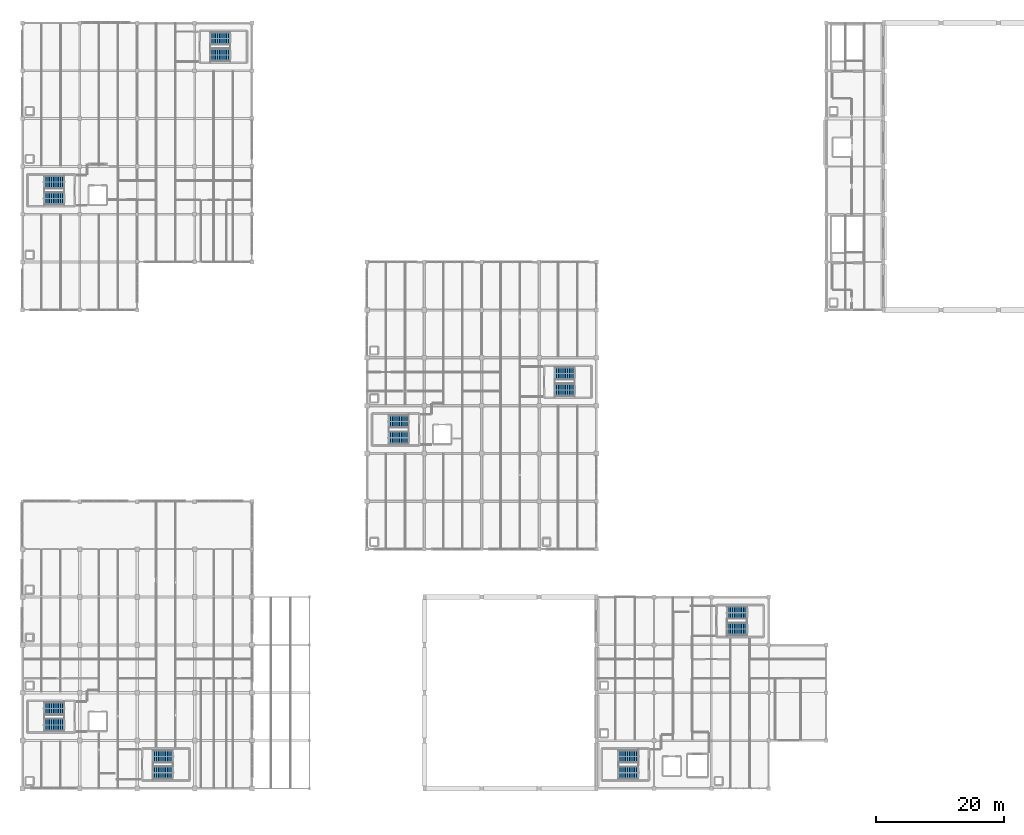
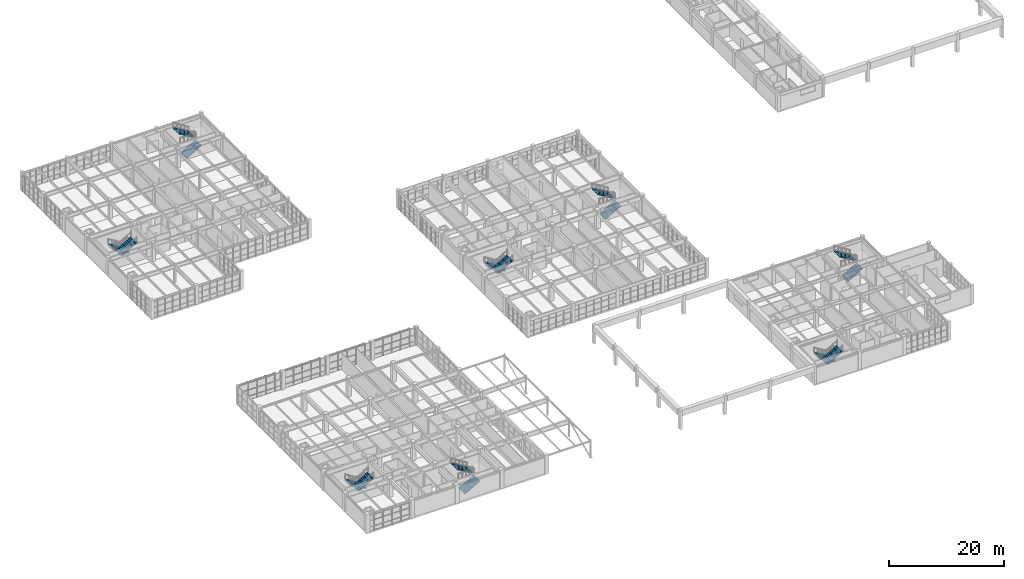
# One storey, part 74 of 76: 16 stair flights, 8 elements without a shape of their own.
"""IFC4 building model written with IfcOpenShell, lengths in metres."""

from ifc_helpers import new_model, si_unit, direction, frame, origin, place, context, subcontext, project, spatial, polyline, outline, extrude, material, type_object, element, aggregate, save


model = new_model("IFC4")

# Units and contexts
model_context = context("Model", 3, precision=1e-05, world=origin(), true_north=direction((0.0, 1.0)))
body_context = subcontext(model_context, "Body", "Model", "MODEL_VIEW")
ifc_project = project(units=[si_unit("LENGTHUNIT", "METRE"), si_unit("AREAUNIT", "SQUARE_METRE"), si_unit("VOLUMEUNIT", "CUBIC_METRE"), si_unit("PLANEANGLEUNIT", "RADIAN"), si_unit("MASSUNIT", "GRAM", prefix="KILO")], contexts=[model_context])

# Site, building, storey
site_placement = place(None, origin())
site = spatial("IfcSite", under=ifc_project, at=site_placement, CompositionType="ELEMENT")
building_placement = place(site_placement, origin())
building = spatial("IfcBuilding", under=site, at=building_placement, Name="Marnridge Secondary College", CompositionType="ELEMENT")
storey_placement = place(building_placement, frame((0.0, 0.0, 4.5)))
storey = spatial("IfcBuildingStorey", under=building, at=storey_placement, Name="L01", CompositionType="ELEMENT", Elevation=4.5)

# Stair, stair flights
ifc_material_1 = material(Name="Concrete C40/50 (AS 3600 N40, 40 MPa)", Category="concrete")
stair_type = type_object("IfcStairType", Name="STC1", PredefinedType="HALF_TURN_STAIR", material=ifc_material_1)
stair_1_placement = place(storey_placement, origin())
stair_1 = element("IfcStair", 1, at=stair_1_placement, inside=storey, type_object=stair_type, Name="Fire-isolated stair ST-01-L01", PredefinedType="HALF_TURN_STAIR")
ifc_material_2 = material(Name="Concrete C40/50 (AS 3600 N40, 40 MPa)", Category="concrete")
stair_flight_type = type_object("IfcStairFlightType", Name="SFC1", PredefinedType="STRAIGHT", material=ifc_material_2)
stair_flight_1_placement = place(storey_placement, frame((60.550048828125, 57.530029296875, 0.0), z_axis=(0.0, 0.0, 1.0), x_axis=(-1.0, 0.0, 0.0)))
stair_flight_1 = element("IfcStairFlight", 2, at=stair_flight_1_placement, type_object=stair_flight_type, Name="ST-01-L01 flight 1", NumberOfRisers=12, NumberOfTreads=11, PredefinedType="STRAIGHT", RiserHeight=0.166666667, TreadLength=0.285, context=body_context, shape_type="SweptSolid", body=[
    extrude(outline(polyline([(0.0, 0.0), (0.0, 0.166748046875), (0.284912109375, 0.166748046875), (0.284912109375, 0.333251953125), (0.570068359375, 0.333251953125), (0.570068359375, 0.5), (0.85498046875, 0.5), (0.85498046875, 0.666748046875), (1.139892578125, 0.666748046875), (1.139892578125, 0.833251953125), (1.425048828125, 0.833251953125), (1.425048828125, 1.0), (1.7099609375, 1.0), (1.7099609375, 1.166748046875), (1.9951171875, 1.166748046875), (1.9951171875, 1.333251953125), (2.280029296875, 1.333251953125), (2.280029296875, 1.5), (2.56494140625, 1.5), (2.56494140625, 1.666748046875), (2.85009765625, 1.666748046875), (2.85009765625, 1.833251953125), (3.135009765625, 1.833251953125), (3.135009765625, 2.0), (3.135009765625, 1.625), (0.3564453125, 0.0), (0.0, 0.0)])), frame((0.0, 1.0, 0.0), z_axis=(0.0, -1.0, 0.0), x_axis=(1.0, 0.0, 0.0)), (0.0, 0.0, 1.0), 2.0),
])
stair_flight_2_placement = place(storey_placement, frame((57.4150390625, 54.969970703125, 2.0), z_axis=(0.0, 0.0, 1.0), x_axis=(1.0, 0.0, 0.0)))
stair_flight_2 = element("IfcStairFlight", 3, at=stair_flight_2_placement, type_object=stair_flight_type, Name="ST-01-L01 flight 2", NumberOfRisers=12, NumberOfTreads=11, PredefinedType="STRAIGHT", RiserHeight=0.166666667, TreadLength=0.285, context=body_context, shape_type="SweptSolid", body=[
    extrude(outline(polyline([(0.0, 0.0), (0.0, 0.166748046875), (0.284912109375, 0.166748046875), (0.284912109375, 0.333251953125), (0.570068359375, 0.333251953125), (0.570068359375, 0.5), (0.85498046875, 0.5), (0.85498046875, 0.666748046875), (1.139892578125, 0.666748046875), (1.139892578125, 0.833251953125), (1.425048828125, 0.833251953125), (1.425048828125, 1.0), (1.7099609375, 1.0), (1.7099609375, 1.166748046875), (1.9951171875, 1.166748046875), (1.9951171875, 1.333251953125), (2.280029296875, 1.333251953125), (2.280029296875, 1.5), (2.56494140625, 1.5), (2.56494140625, 1.666748046875), (2.85009765625, 1.666748046875), (2.85009765625, 1.833251953125), (3.135009765625, 1.833251953125), (3.135009765625, 2.0), (3.135009765625, 1.625), (0.3564453125, 0.0), (0.0, 0.0)])), frame((0.0, 1.0, 0.0), z_axis=(0.0, -1.0, 0.0), x_axis=(1.0, 0.0, 0.0)), (0.0, 0.0, 1.0), 2.0),
])
aggregate(stair_1, [stair_flight_1, stair_flight_2])

stair_2_placement = place(storey_placement, origin())
stair_2 = element("IfcStair", 4, at=stair_2_placement, inside=storey, type_object=stair_type, Name="Fire-isolated stair ST-02-L01", PredefinedType="HALF_TURN_STAIR")
stair_flight_3_placement = place(storey_placement, frame((83.449951171875, 62.469970703125, 0.0), z_axis=(0.0, 0.0, 1.0), x_axis=(1.0, 0.0, 0.0)))
stair_flight_3 = element("IfcStairFlight", 5, at=stair_flight_3_placement, type_object=stair_flight_type, Name="ST-02-L01 flight 1", NumberOfRisers=12, NumberOfTreads=11, PredefinedType="STRAIGHT", RiserHeight=0.166666667, TreadLength=0.285, context=body_context, shape_type="SweptSolid", body=[
    extrude(outline(polyline([(0.0, 0.0), (0.0, 0.166748046875), (0.284912109375, 0.166748046875), (0.284912109375, 0.333251953125), (0.570068359375, 0.333251953125), (0.570068359375, 0.5), (0.85498046875, 0.5), (0.85498046875, 0.666748046875), (1.139892578125, 0.666748046875), (1.139892578125, 0.833251953125), (1.425048828125, 0.833251953125), (1.425048828125, 1.0), (1.7099609375, 1.0), (1.7099609375, 1.166748046875), (1.9951171875, 1.166748046875), (1.9951171875, 1.333251953125), (2.280029296875, 1.333251953125), (2.280029296875, 1.5), (2.56494140625, 1.5), (2.56494140625, 1.666748046875), (2.85009765625, 1.666748046875), (2.85009765625, 1.833251953125), (3.135009765625, 1.833251953125), (3.135009765625, 2.0), (3.135009765625, 1.625), (0.3564453125, 0.0), (0.0, 0.0)])), frame((0.0, 1.0, 0.0), z_axis=(0.0, -1.0, 0.0), x_axis=(1.0, 0.0, 0.0)), (0.0, 0.0, 1.0), 2.0),
])
stair_flight_4_placement = place(storey_placement, frame((86.5849609375, 65.030029296875, 2.0), z_axis=(0.0, 0.0, 1.0), x_axis=(-1.0, 0.0, 0.0)))
stair_flight_4 = element("IfcStairFlight", 6, at=stair_flight_4_placement, type_object=stair_flight_type, Name="ST-02-L01 flight 2", NumberOfRisers=12, NumberOfTreads=11, PredefinedType="STRAIGHT", RiserHeight=0.166666667, TreadLength=0.285, context=body_context, shape_type="SweptSolid", body=[
    extrude(outline(polyline([(0.0, 0.0), (0.0, 0.166748046875), (0.284912109375, 0.166748046875), (0.284912109375, 0.333251953125), (0.570068359375, 0.333251953125), (0.570068359375, 0.5), (0.85498046875, 0.5), (0.85498046875, 0.666748046875), (1.139892578125, 0.666748046875), (1.139892578125, 0.833251953125), (1.425048828125, 0.833251953125), (1.425048828125, 1.0), (1.7099609375, 1.0), (1.7099609375, 1.166748046875), (1.9951171875, 1.166748046875), (1.9951171875, 1.333251953125), (2.280029296875, 1.333251953125), (2.280029296875, 1.5), (2.56494140625, 1.5), (2.56494140625, 1.666748046875), (2.85009765625, 1.666748046875), (2.85009765625, 1.833251953125), (3.135009765625, 1.833251953125), (3.135009765625, 2.0), (3.135009765625, 1.625), (0.3564453125, 0.0), (0.0, 0.0)])), frame((0.0, 1.0, 0.0), z_axis=(0.0, -1.0, 0.0), x_axis=(1.0, 0.0, 0.0)), (0.0, 0.0, 1.0), 2.0),
])
aggregate(stair_2, [stair_flight_3, stair_flight_4])

stair_3_placement = place(storey_placement, origin())
stair_3 = element("IfcStair", 7, at=stair_3_placement, inside=storey, type_object=stair_type, Name="Fire-isolated stair ST-03-L01", PredefinedType="HALF_TURN_STAIR")
stair_flight_5_placement = place(storey_placement, frame((6.550048828125, 12.530029296875, 0.0), z_axis=(0.0, 0.0, 1.0), x_axis=(-1.0, 0.0, 0.0)))
stair_flight_5 = element("IfcStairFlight", 8, at=stair_flight_5_placement, type_object=stair_flight_type, Name="ST-03-L01 flight 1", NumberOfRisers=12, NumberOfTreads=11, PredefinedType="STRAIGHT", RiserHeight=0.166666667, TreadLength=0.285, context=body_context, shape_type="SweptSolid", body=[
    extrude(outline(polyline([(0.0, 0.0), (0.0, 0.166748046875), (0.284912109375, 0.166748046875), (0.284912109375, 0.333251953125), (0.570068359375, 0.333251953125), (0.570068359375, 0.5), (0.85498046875, 0.5), (0.85498046875, 0.666748046875), (1.139892578125, 0.666748046875), (1.139892578125, 0.833251953125), (1.425048828125, 0.833251953125), (1.425048828125, 1.0), (1.7099609375, 1.0), (1.7099609375, 1.166748046875), (1.9951171875, 1.166748046875), (1.9951171875, 1.333251953125), (2.280029296875, 1.333251953125), (2.280029296875, 1.5), (2.56494140625, 1.5), (2.56494140625, 1.666748046875), (2.85009765625, 1.666748046875), (2.85009765625, 1.833251953125), (3.135009765625, 1.833251953125), (3.135009765625, 2.0), (3.135009765625, 1.625), (0.3564453125, 0.0), (0.0, 0.0)])), frame((0.0, 1.0, 0.0), z_axis=(0.0, -1.0, 0.0), x_axis=(1.0, 0.0, 0.0)), (0.0, 0.0, 1.0), 2.0),
])
stair_flight_6_placement = place(storey_placement, frame((3.4150390625, 9.969970703125, 2.0), z_axis=(0.0, 0.0, 1.0), x_axis=(1.0, 0.0, 0.0)))
stair_flight_6 = element("IfcStairFlight", 9, at=stair_flight_6_placement, type_object=stair_flight_type, Name="ST-03-L01 flight 2", NumberOfRisers=12, NumberOfTreads=11, PredefinedType="STRAIGHT", RiserHeight=0.166666667, TreadLength=0.285, context=body_context, shape_type="SweptSolid", body=[
    extrude(outline(polyline([(0.0, 0.0), (0.0, 0.166748046875), (0.284912109375, 0.166748046875), (0.284912109375, 0.333251953125), (0.570068359375, 0.333251953125), (0.570068359375, 0.5), (0.85498046875, 0.5), (0.85498046875, 0.666748046875), (1.139892578125, 0.666748046875), (1.139892578125, 0.833251953125), (1.425048828125, 0.833251953125), (1.425048828125, 1.0), (1.7099609375, 1.0), (1.7099609375, 1.166748046875), (1.9951171875, 1.166748046875), (1.9951171875, 1.333251953125), (2.280029296875, 1.333251953125), (2.280029296875, 1.5), (2.56494140625, 1.5), (2.56494140625, 1.666748046875), (2.85009765625, 1.666748046875), (2.85009765625, 1.833251953125), (3.135009765625, 1.833251953125), (3.135009765625, 2.0), (3.135009765625, 1.625), (0.3564453125, 0.0), (0.0, 0.0)])), frame((0.0, 1.0, 0.0), z_axis=(0.0, -1.0, 0.0), x_axis=(1.0, 0.0, 0.0)), (0.0, 0.0, 1.0), 2.0),
])
aggregate(stair_3, [stair_flight_5, stair_flight_6])

stair_4_placement = place(storey_placement, origin())
stair_4 = element("IfcStair", 10, at=stair_4_placement, inside=storey, type_object=stair_type, Name="Fire-isolated stair ST-04-L01", PredefinedType="HALF_TURN_STAIR")
stair_flight_7_placement = place(storey_placement, frame((20.449951171875, 2.469970703125, 0.0), z_axis=(0.0, 0.0, 1.0), x_axis=(1.0, 0.0, 0.0)))
stair_flight_7 = element("IfcStairFlight", 11, at=stair_flight_7_placement, type_object=stair_flight_type, Name="ST-04-L01 flight 1", NumberOfRisers=12, NumberOfTreads=11, PredefinedType="STRAIGHT", RiserHeight=0.166666667, TreadLength=0.285, context=body_context, shape_type="SweptSolid", body=[
    extrude(outline(polyline([(0.0, 0.0), (0.0, 0.166748046875), (0.284912109375, 0.166748046875), (0.284912109375, 0.333251953125), (0.570068359375, 0.333251953125), (0.570068359375, 0.5), (0.85498046875, 0.5), (0.85498046875, 0.666748046875), (1.139892578125, 0.666748046875), (1.139892578125, 0.833251953125), (1.425048828125, 0.833251953125), (1.425048828125, 1.0), (1.7099609375, 1.0), (1.7099609375, 1.166748046875), (1.9951171875, 1.166748046875), (1.9951171875, 1.333251953125), (2.280029296875, 1.333251953125), (2.280029296875, 1.5), (2.56494140625, 1.5), (2.56494140625, 1.666748046875), (2.85009765625, 1.666748046875), (2.85009765625, 1.833251953125), (3.135009765625, 1.833251953125), (3.135009765625, 2.0), (3.135009765625, 1.625), (0.3564453125, 0.0), (0.0, 0.0)])), frame((0.0, 1.0, 0.0), z_axis=(0.0, -1.0, 0.0), x_axis=(1.0, 0.0, 0.0)), (0.0, 0.0, 1.0), 2.0),
])
stair_flight_8_placement = place(storey_placement, frame((23.5849609375, 5.030029296875, 2.0), z_axis=(0.0, 0.0, 1.0), x_axis=(-1.0, 0.0, 0.0)))
stair_flight_8 = element("IfcStairFlight", 12, at=stair_flight_8_placement, type_object=stair_flight_type, Name="ST-04-L01 flight 2", NumberOfRisers=12, NumberOfTreads=11, PredefinedType="STRAIGHT", RiserHeight=0.166666667, TreadLength=0.285, context=body_context, shape_type="SweptSolid", body=[
    extrude(outline(polyline([(0.0, 0.0), (0.0, 0.166748046875), (0.284912109375, 0.166748046875), (0.284912109375, 0.333251953125), (0.570068359375, 0.333251953125), (0.570068359375, 0.5), (0.85498046875, 0.5), (0.85498046875, 0.666748046875), (1.139892578125, 0.666748046875), (1.139892578125, 0.833251953125), (1.425048828125, 0.833251953125), (1.425048828125, 1.0), (1.7099609375, 1.0), (1.7099609375, 1.166748046875), (1.9951171875, 1.166748046875), (1.9951171875, 1.333251953125), (2.280029296875, 1.333251953125), (2.280029296875, 1.5), (2.56494140625, 1.5), (2.56494140625, 1.666748046875), (2.85009765625, 1.666748046875), (2.85009765625, 1.833251953125), (3.135009765625, 1.833251953125), (3.135009765625, 2.0), (3.135009765625, 1.625), (0.3564453125, 0.0), (0.0, 0.0)])), frame((0.0, 1.0, 0.0), z_axis=(0.0, -1.0, 0.0), x_axis=(1.0, 0.0, 0.0)), (0.0, 0.0, 1.0), 2.0),
])
aggregate(stair_4, [stair_flight_7, stair_flight_8])

stair_5_placement = place(storey_placement, origin())
stair_5 = element("IfcStair", 13, at=stair_5_placement, inside=storey, type_object=stair_type, Name="Fire-isolated stair ST-05-L01", PredefinedType="HALF_TURN_STAIR")
stair_flight_9_placement = place(storey_placement, frame((6.550048828125, 95.030029296875, 0.0), z_axis=(0.0, 0.0, 1.0), x_axis=(-1.0, 0.0, 0.0)))
stair_flight_9 = element("IfcStairFlight", 14, at=stair_flight_9_placement, type_object=stair_flight_type, Name="ST-05-L01 flight 1", NumberOfRisers=12, NumberOfTreads=11, PredefinedType="STRAIGHT", RiserHeight=0.166666667, TreadLength=0.285, context=body_context, shape_type="SweptSolid", body=[
    extrude(outline(polyline([(0.0, 0.0), (0.0, 0.166748046875), (0.284912109375, 0.166748046875), (0.284912109375, 0.333251953125), (0.570068359375, 0.333251953125), (0.570068359375, 0.5), (0.85498046875, 0.5), (0.85498046875, 0.666748046875), (1.139892578125, 0.666748046875), (1.139892578125, 0.833251953125), (1.425048828125, 0.833251953125), (1.425048828125, 1.0), (1.7099609375, 1.0), (1.7099609375, 1.166748046875), (1.9951171875, 1.166748046875), (1.9951171875, 1.333251953125), (2.280029296875, 1.333251953125), (2.280029296875, 1.5), (2.56494140625, 1.5), (2.56494140625, 1.666748046875), (2.85009765625, 1.666748046875), (2.85009765625, 1.833251953125), (3.135009765625, 1.833251953125), (3.135009765625, 2.0), (3.135009765625, 1.625), (0.3564453125, 0.0), (0.0, 0.0)])), frame((0.0, 1.0, 0.0), z_axis=(0.0, -1.0, 0.0), x_axis=(1.0, 0.0, 0.0)), (0.0, 0.0, 1.0), 2.0),
])
stair_flight_10_placement = place(storey_placement, frame((3.4150390625, 92.469970703125, 2.0), z_axis=(0.0, 0.0, 1.0), x_axis=(1.0, 0.0, 0.0)))
stair_flight_10 = element("IfcStairFlight", 15, at=stair_flight_10_placement, type_object=stair_flight_type, Name="ST-05-L01 flight 2", NumberOfRisers=12, NumberOfTreads=11, PredefinedType="STRAIGHT", RiserHeight=0.166666667, TreadLength=0.285, context=body_context, shape_type="SweptSolid", body=[
    extrude(outline(polyline([(0.0, 0.0), (0.0, 0.166748046875), (0.284912109375, 0.166748046875), (0.284912109375, 0.333251953125), (0.570068359375, 0.333251953125), (0.570068359375, 0.5), (0.85498046875, 0.5), (0.85498046875, 0.666748046875), (1.139892578125, 0.666748046875), (1.139892578125, 0.833251953125), (1.425048828125, 0.833251953125), (1.425048828125, 1.0), (1.7099609375, 1.0), (1.7099609375, 1.166748046875), (1.9951171875, 1.166748046875), (1.9951171875, 1.333251953125), (2.280029296875, 1.333251953125), (2.280029296875, 1.5), (2.56494140625, 1.5), (2.56494140625, 1.666748046875), (2.85009765625, 1.666748046875), (2.85009765625, 1.833251953125), (3.135009765625, 1.833251953125), (3.135009765625, 2.0), (3.135009765625, 1.625), (0.3564453125, 0.0), (0.0, 0.0)])), frame((0.0, 1.0, 0.0), z_axis=(0.0, -1.0, 0.0), x_axis=(1.0, 0.0, 0.0)), (0.0, 0.0, 1.0), 2.0),
])
aggregate(stair_5, [stair_flight_9, stair_flight_10])

stair_6_placement = place(storey_placement, origin())
stair_6 = element("IfcStair", 16, at=stair_6_placement, inside=storey, type_object=stair_type, Name="Fire-isolated stair ST-06-L01", PredefinedType="HALF_TURN_STAIR")
stair_flight_11_placement = place(storey_placement, frame((29.449951171875, 114.969970703125, 0.0), z_axis=(0.0, 0.0, 1.0), x_axis=(1.0, 0.0, 0.0)))
stair_flight_11 = element("IfcStairFlight", 17, at=stair_flight_11_placement, type_object=stair_flight_type, Name="ST-06-L01 flight 1", NumberOfRisers=12, NumberOfTreads=11, PredefinedType="STRAIGHT", RiserHeight=0.166666667, TreadLength=0.285, context=body_context, shape_type="SweptSolid", body=[
    extrude(outline(polyline([(0.0, 0.0), (0.0, 0.166748046875), (0.284912109375, 0.166748046875), (0.284912109375, 0.333251953125), (0.570068359375, 0.333251953125), (0.570068359375, 0.5), (0.85498046875, 0.5), (0.85498046875, 0.666748046875), (1.139892578125, 0.666748046875), (1.139892578125, 0.833251953125), (1.425048828125, 0.833251953125), (1.425048828125, 1.0), (1.7099609375, 1.0), (1.7099609375, 1.166748046875), (1.9951171875, 1.166748046875), (1.9951171875, 1.333251953125), (2.280029296875, 1.333251953125), (2.280029296875, 1.5), (2.56494140625, 1.5), (2.56494140625, 1.666748046875), (2.85009765625, 1.666748046875), (2.85009765625, 1.833251953125), (3.135009765625, 1.833251953125), (3.135009765625, 2.0), (3.135009765625, 1.625), (0.3564453125, 0.0), (0.0, 0.0)])), frame((0.0, 1.0, 0.0), z_axis=(0.0, -1.0, 0.0), x_axis=(1.0, 0.0, 0.0)), (0.0, 0.0, 1.0), 2.0),
])
stair_flight_12_placement = place(storey_placement, frame((32.5849609375, 117.530029296875, 2.0), z_axis=(0.0, 0.0, 1.0), x_axis=(-1.0, 0.0, 0.0)))
stair_flight_12 = element("IfcStairFlight", 18, at=stair_flight_12_placement, type_object=stair_flight_type, Name="ST-06-L01 flight 2", NumberOfRisers=12, NumberOfTreads=11, PredefinedType="STRAIGHT", RiserHeight=0.166666667, TreadLength=0.285, context=body_context, shape_type="SweptSolid", body=[
    extrude(outline(polyline([(0.0, 0.0), (0.0, 0.166748046875), (0.284912109375, 0.166748046875), (0.284912109375, 0.333251953125), (0.570068359375, 0.333251953125), (0.570068359375, 0.5), (0.85498046875, 0.5), (0.85498046875, 0.666748046875), (1.139892578125, 0.666748046875), (1.139892578125, 0.833251953125), (1.425048828125, 0.833251953125), (1.425048828125, 1.0), (1.7099609375, 1.0), (1.7099609375, 1.166748046875), (1.9951171875, 1.166748046875), (1.9951171875, 1.333251953125), (2.280029296875, 1.333251953125), (2.280029296875, 1.5), (2.56494140625, 1.5), (2.56494140625, 1.666748046875), (2.85009765625, 1.666748046875), (2.85009765625, 1.833251953125), (3.135009765625, 1.833251953125), (3.135009765625, 2.0), (3.135009765625, 1.625), (0.3564453125, 0.0), (0.0, 0.0)])), frame((0.0, 1.0, 0.0), z_axis=(0.0, -1.0, 0.0), x_axis=(1.0, 0.0, 0.0)), (0.0, 0.0, 1.0), 2.0),
])
aggregate(stair_6, [stair_flight_11, stair_flight_12])

stair_7_placement = place(storey_placement, origin())
stair_7 = element("IfcStair", 19, at=stair_7_placement, inside=storey, type_object=stair_type, Name="Fire-isolated stair ST-07-L01", PredefinedType="HALF_TURN_STAIR")
stair_flight_13_placement = place(storey_placement, frame((96.550048828125, 5.030029296875, 0.0), z_axis=(0.0, 0.0, 1.0), x_axis=(-1.0, 0.0, 0.0)))
stair_flight_13 = element("IfcStairFlight", 20, at=stair_flight_13_placement, type_object=stair_flight_type, Name="ST-07-L01 flight 1", NumberOfRisers=12, NumberOfTreads=11, PredefinedType="STRAIGHT", RiserHeight=0.166666667, TreadLength=0.285, context=body_context, shape_type="SweptSolid", body=[
    extrude(outline(polyline([(0.0, 0.0), (0.0, 0.166748046875), (0.284912109375, 0.166748046875), (0.284912109375, 0.333251953125), (0.570068359375, 0.333251953125), (0.570068359375, 0.5), (0.85498046875, 0.5), (0.85498046875, 0.666748046875), (1.139892578125, 0.666748046875), (1.139892578125, 0.833251953125), (1.425048828125, 0.833251953125), (1.425048828125, 1.0), (1.7099609375, 1.0), (1.7099609375, 1.166748046875), (1.9951171875, 1.166748046875), (1.9951171875, 1.333251953125), (2.280029296875, 1.333251953125), (2.280029296875, 1.5), (2.56494140625, 1.5), (2.56494140625, 1.666748046875), (2.85009765625, 1.666748046875), (2.85009765625, 1.833251953125), (3.135009765625, 1.833251953125), (3.135009765625, 2.0), (3.135009765625, 1.625), (0.3564453125, 0.0), (0.0, 0.0)])), frame((0.0, 1.0, 0.0), z_axis=(0.0, -1.0, 0.0), x_axis=(1.0, 0.0, 0.0)), (0.0, 0.0, 1.0), 2.0),
])
stair_flight_14_placement = place(storey_placement, frame((93.4150390625, 2.469970703125, 2.0), z_axis=(0.0, 0.0, 1.0), x_axis=(1.0, 0.0, 0.0)))
stair_flight_14 = element("IfcStairFlight", 21, at=stair_flight_14_placement, type_object=stair_flight_type, Name="ST-07-L01 flight 2", NumberOfRisers=12, NumberOfTreads=11, PredefinedType="STRAIGHT", RiserHeight=0.166666667, TreadLength=0.285, context=body_context, shape_type="SweptSolid", body=[
    extrude(outline(polyline([(0.0, 0.0), (0.0, 0.166748046875), (0.284912109375, 0.166748046875), (0.284912109375, 0.333251953125), (0.570068359375, 0.333251953125), (0.570068359375, 0.5), (0.85498046875, 0.5), (0.85498046875, 0.666748046875), (1.139892578125, 0.666748046875), (1.139892578125, 0.833251953125), (1.425048828125, 0.833251953125), (1.425048828125, 1.0), (1.7099609375, 1.0), (1.7099609375, 1.166748046875), (1.9951171875, 1.166748046875), (1.9951171875, 1.333251953125), (2.280029296875, 1.333251953125), (2.280029296875, 1.5), (2.56494140625, 1.5), (2.56494140625, 1.666748046875), (2.85009765625, 1.666748046875), (2.85009765625, 1.833251953125), (3.135009765625, 1.833251953125), (3.135009765625, 2.0), (3.135009765625, 1.625), (0.3564453125, 0.0), (0.0, 0.0)])), frame((0.0, 1.0, 0.0), z_axis=(0.0, -1.0, 0.0), x_axis=(1.0, 0.0, 0.0)), (0.0, 0.0, 1.0), 2.0),
])
aggregate(stair_7, [stair_flight_13, stair_flight_14])

stair_8_placement = place(storey_placement, origin())
stair_8 = element("IfcStair", 22, at=stair_8_placement, inside=storey, type_object=stair_type, Name="Fire-isolated stair ST-08-L01", PredefinedType="HALF_TURN_STAIR")
stair_flight_15_placement = place(storey_placement, frame((110.449951171875, 24.969970703125, 0.0), z_axis=(0.0, 0.0, 1.0), x_axis=(1.0, 0.0, 0.0)))
stair_flight_15 = element("IfcStairFlight", 23, at=stair_flight_15_placement, type_object=stair_flight_type, Name="ST-08-L01 flight 1", NumberOfRisers=12, NumberOfTreads=11, PredefinedType="STRAIGHT", RiserHeight=0.166666667, TreadLength=0.285, context=body_context, shape_type="SweptSolid", body=[
    extrude(outline(polyline([(0.0, 0.0), (0.0, 0.166748046875), (0.284912109375, 0.166748046875), (0.284912109375, 0.333251953125), (0.570068359375, 0.333251953125), (0.570068359375, 0.5), (0.85498046875, 0.5), (0.85498046875, 0.666748046875), (1.139892578125, 0.666748046875), (1.139892578125, 0.833251953125), (1.425048828125, 0.833251953125), (1.425048828125, 1.0), (1.7099609375, 1.0), (1.7099609375, 1.166748046875), (1.9951171875, 1.166748046875), (1.9951171875, 1.333251953125), (2.280029296875, 1.333251953125), (2.280029296875, 1.5), (2.56494140625, 1.5), (2.56494140625, 1.666748046875), (2.85009765625, 1.666748046875), (2.85009765625, 1.833251953125), (3.135009765625, 1.833251953125), (3.135009765625, 2.0), (3.135009765625, 1.625), (0.3564453125, 0.0), (0.0, 0.0)])), frame((0.0, 1.0, 0.0), z_axis=(0.0, -1.0, 0.0), x_axis=(1.0, 0.0, 0.0)), (0.0, 0.0, 1.0), 2.0),
])
stair_flight_16_placement = place(storey_placement, frame((113.5849609375, 27.530029296875, 2.0), z_axis=(0.0, 0.0, 1.0), x_axis=(-1.0, 0.0, 0.0)))
stair_flight_16 = element("IfcStairFlight", 24, at=stair_flight_16_placement, type_object=stair_flight_type, Name="ST-08-L01 flight 2", NumberOfRisers=12, NumberOfTreads=11, PredefinedType="STRAIGHT", RiserHeight=0.166666667, TreadLength=0.285, context=body_context, shape_type="SweptSolid", body=[
    extrude(outline(polyline([(0.0, 0.0), (0.0, 0.166748046875), (0.284912109375, 0.166748046875), (0.284912109375, 0.333251953125), (0.570068359375, 0.333251953125), (0.570068359375, 0.5), (0.85498046875, 0.5), (0.85498046875, 0.666748046875), (1.139892578125, 0.666748046875), (1.139892578125, 0.833251953125), (1.425048828125, 0.833251953125), (1.425048828125, 1.0), (1.7099609375, 1.0), (1.7099609375, 1.166748046875), (1.9951171875, 1.166748046875), (1.9951171875, 1.333251953125), (2.280029296875, 1.333251953125), (2.280029296875, 1.5), (2.56494140625, 1.5), (2.56494140625, 1.666748046875), (2.85009765625, 1.666748046875), (2.85009765625, 1.833251953125), (3.135009765625, 1.833251953125), (3.135009765625, 2.0), (3.135009765625, 1.625), (0.3564453125, 0.0), (0.0, 0.0)])), frame((0.0, 1.0, 0.0), z_axis=(0.0, -1.0, 0.0), x_axis=(1.0, 0.0, 0.0)), (0.0, 0.0, 1.0), 2.0),
])
aggregate(stair_8, [stair_flight_15, stair_flight_16])

save(model, "model.ifc")
